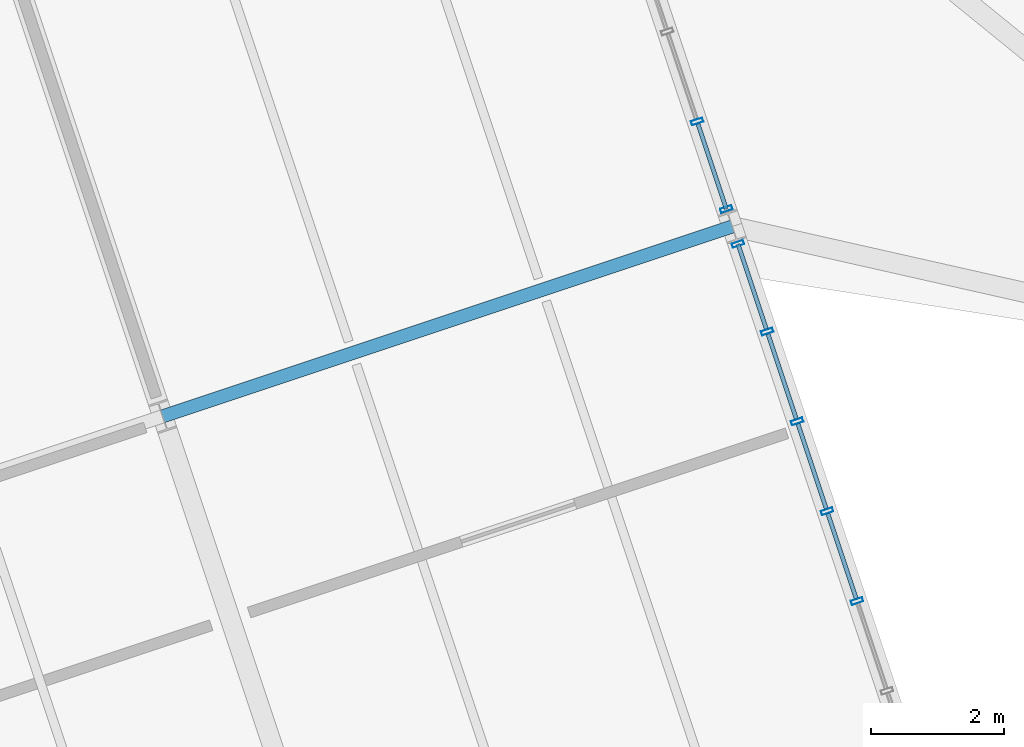
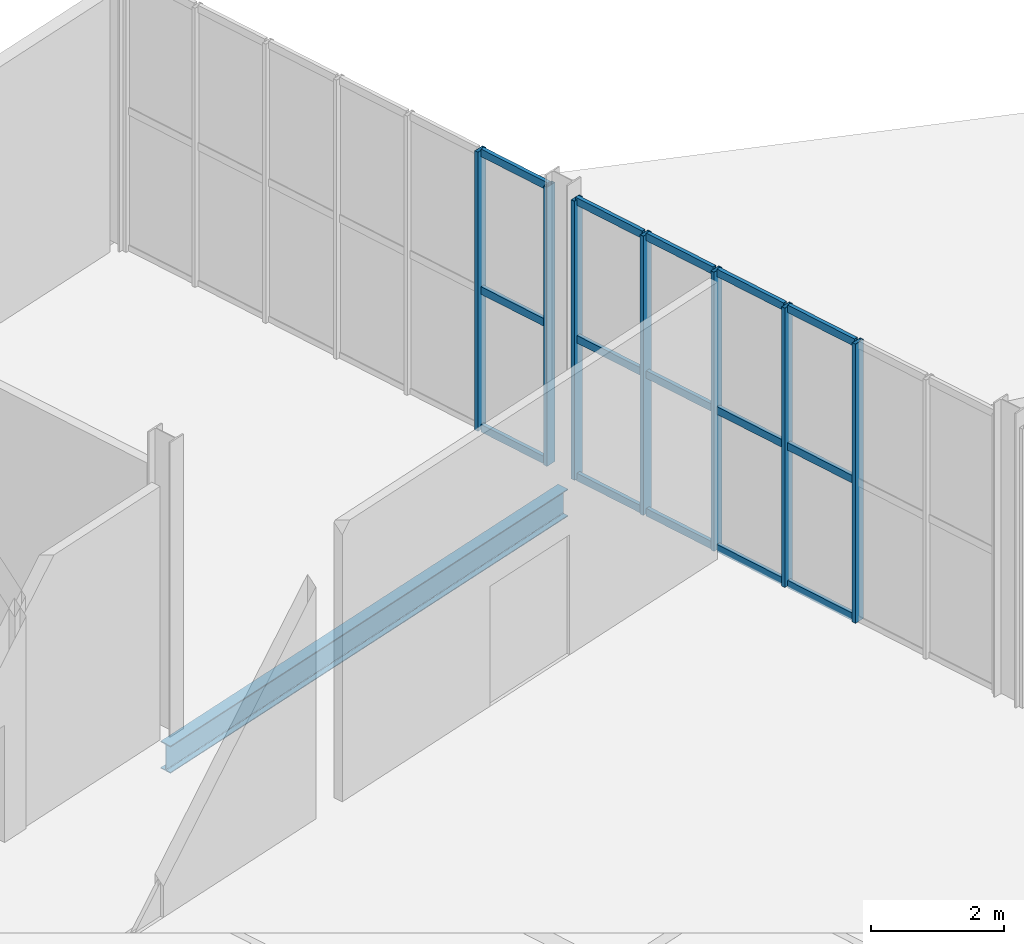
# One storey, part 83 of 158: 22 members, 1 beam, 2 elements without a shape of their own.
"""IFC4 building model written with IfcOpenShell, lengths in metres."""

from ifc_helpers import new_model, si_unit, derived_unit, direction, frame, origin, origin_2d, place, context, subcontext, project, spatial, hollow_rectangle, i_section, extrude, material, material_profile, profile_set, type_object, element, aggregate, save


model = new_model("IFC4")

# Units and contexts
model_context = context("Model", 3, precision=1e-05, world=origin(), true_north=direction((0.0, 1.0)))
body_context = subcontext(model_context, "Body", "Model", "MODEL_VIEW")
ifc_project = project(units=[si_unit("LENGTHUNIT", "METRE"), si_unit("AREAUNIT", "SQUARE_METRE"), si_unit("VOLUMEUNIT", "CUBIC_METRE"), si_unit("PLANEANGLEUNIT", "RADIAN"), si_unit("MASSUNIT", "GRAM", prefix="KILO"), si_unit("THERMODYNAMICTEMPERATUREUNIT", "KELVIN"), si_unit("TIMEUNIT", "SECOND"), derived_unit("THERMALTRANSMITTANCEUNIT", [(si_unit("MASSUNIT", "GRAM", prefix="KILO"), 1), (si_unit("THERMODYNAMICTEMPERATUREUNIT", "KELVIN"), -1), (si_unit("TIMEUNIT", "SECOND"), -3)])], contexts=[model_context])

# Site, building, storey
site_placement = place(None, origin())
site = spatial("IfcSite", under=ifc_project, at=site_placement, CompositionType="ELEMENT")
building_placement = place(site_placement, origin())
building = spatial("IfcBuilding", under=site, at=building_placement, Name="Cambertide Market Hall", CompositionType="ELEMENT")
storey_placement = place(building_placement, origin())
storey = spatial("IfcBuildingStorey", under=building, at=storey_placement, Name="L01", CompositionType="ELEMENT", Elevation=0.0)

# Curtain wall, members
ifc_material_1 = material(Name="Marine Anodized Aluminium 6063-T6 AA25", Category="aluminium")
curtain_wall_type = type_object("IfcCurtainWallType", Name="Food Court Ground Glazed Facade", PredefinedType="USERDEFINED", material=ifc_material_1)
curtain_wall_1_placement = place(storey_placement, origin())
curtain_wall_1 = element("IfcCurtainWall", 1, at=curtain_wall_1_placement, inside=storey, type_object=curtain_wall_type, Name="Level 1 Curtain Wall CW-V3E-L01-2", ObjectType="UNITIZED CURTAIN WALL", PredefinedType="USERDEFINED")
ifc_material_2 = material(Name="Champagne Marine Anodized Aluminium 6063-T6 AA25", Category="aluminium")
ifc_material_profile_1 = material_profile(ifc_material_2, hollow_rectangle(XDim=0.06494140625, YDim=0.179931640625, WallThickness=0.00390625, at=origin_2d()), Name="ALU MULLION 65x180")
ifc_profile_set_1 = profile_set([ifc_material_profile_1], Name="Champagne Marine Anodized Aluminium 6063-T6 AA25")
member_type_1 = type_object("IfcMemberType", Name="Curtain Wall Mullion ALU MULLION 65x180", PredefinedType="MULLION", material=ifc_profile_set_1)
member_1_placement = place(storey_placement, frame((160.161865234375, 48.73779296875, 0.0), z_axis=(0.0, 0.0, 1.0), x_axis=(0.316227695598, -0.948683321523, 0.0)))
member_1 = element("IfcMember", 2, at=member_1_placement, type_object=member_type_1, Name="CW-V3E-L01-2 Mullion 1", PredefinedType="MULLION", context=body_context, shape_type="SweptSolid", body=[
    extrude(hollow_rectangle(XDim=0.06494140625, YDim=0.179931640625, WallThickness=0.00390625, at=origin_2d()), origin(), (0.0, 0.0, 1.0), 5.1201171875),
])
member_2_placement = place(storey_placement, frame((160.599853515625, 47.423828125, 0.0), z_axis=(0.0, 0.0, 1.0), x_axis=(0.316227695598, -0.948683321523, 0.0)))
member_2 = element("IfcMember", 3, at=member_2_placement, type_object=member_type_1, Name="CW-V3E-L01-2 Mullion 2", PredefinedType="MULLION", context=body_context, shape_type="SweptSolid", body=[
    extrude(hollow_rectangle(XDim=0.06494140625, YDim=0.179931640625, WallThickness=0.00390625, at=origin_2d()), origin(), (0.0, 0.0, 1.0), 5.1201171875),
])
member_3_placement = place(storey_placement, frame((161.048828125, 46.07666015625, 0.0), z_axis=(0.0, 0.0, 1.0), x_axis=(0.316227695598, -0.948683321523, 0.0)))
member_3 = element("IfcMember", 4, at=member_3_placement, type_object=member_type_1, Name="CW-V3E-L01-2 Mullion 3", PredefinedType="MULLION", context=body_context, shape_type="SweptSolid", body=[
    extrude(hollow_rectangle(XDim=0.06494140625, YDim=0.179931640625, WallThickness=0.00390625, at=origin_2d()), origin(), (0.0, 0.0, 1.0), 5.1201171875),
])
member_4_placement = place(storey_placement, frame((161.498046875, 44.7294921875, 0.0), z_axis=(0.0, 0.0, 1.0), x_axis=(0.316227695598, -0.948683321523, 0.0)))
member_4 = element("IfcMember", 5, at=member_4_placement, type_object=member_type_1, Name="CW-V3E-L01-2 Mullion 4", PredefinedType="MULLION", context=body_context, shape_type="SweptSolid", body=[
    extrude(hollow_rectangle(XDim=0.06494140625, YDim=0.179931640625, WallThickness=0.00390625, at=origin_2d()), origin(), (0.0, 0.0, 1.0), 5.1201171875),
])
member_5_placement = place(storey_placement, frame((161.947021484375, 43.38232421875, 0.0), z_axis=(0.0, 0.0, 1.0), x_axis=(0.316227695598, -0.948683321523, 0.0)))
member_5 = element("IfcMember", 6, at=member_5_placement, type_object=member_type_1, Name="CW-V3E-L01-2 Mullion 5", PredefinedType="MULLION", context=body_context, shape_type="SweptSolid", body=[
    extrude(hollow_rectangle(XDim=0.06494140625, YDim=0.179931640625, WallThickness=0.00390625, at=origin_2d()), origin(), (0.0, 0.0, 1.0), 5.1201171875),
])

curtain_wall_2_placement = place(storey_placement, origin())
curtain_wall_2 = element("IfcCurtainWall", 7, at=curtain_wall_2_placement, inside=storey, type_object=curtain_wall_type, Name="Level 1 Curtain Wall CW-V3E-L01-3", ObjectType="UNITIZED CURTAIN WALL", PredefinedType="USERDEFINED")
member_6_placement = place(storey_placement, frame((159.550048828125, 50.573486328125, 0.0), z_axis=(0.0, 0.0, 1.0), x_axis=(0.3162277308, -0.948683309789, 0.0)))
member_6 = element("IfcMember", 8, at=member_6_placement, type_object=member_type_1, Name="CW-V3E-L01-3 Mullion 6", PredefinedType="MULLION", context=body_context, shape_type="SweptSolid", body=[
    extrude(hollow_rectangle(XDim=0.06494140625, YDim=0.179931640625, WallThickness=0.00390625, at=origin_2d()), origin(), (0.0, 0.0, 1.0), 5.1201171875),
])
member_7_placement = place(storey_placement, frame((159.988037109375, 49.259521484375, 0.0), z_axis=(0.0, 0.0, 1.0), x_axis=(0.3162277308, -0.948683309789, 0.0)))
member_7 = element("IfcMember", 9, at=member_7_placement, type_object=member_type_1, Name="CW-V3E-L01-3 Mullion 7", PredefinedType="MULLION", context=body_context, shape_type="SweptSolid", body=[
    extrude(hollow_rectangle(XDim=0.06494140625, YDim=0.179931640625, WallThickness=0.00390625, at=origin_2d()), origin(), (0.0, 0.0, 1.0), 5.1201171875),
])

# Member
ifc_material_3 = material(Name="Champagne Marine Anodized Aluminium 6063-T6 AA25", Category="aluminium")
ifc_material_profile_2 = material_profile(ifc_material_3, hollow_rectangle(XDim=0.06494140625, YDim=0.139892578125, WallThickness=0.00341796875, at=origin_2d()), Name="ALU TRANSOM 65x140")
ifc_profile_set_2 = profile_set([ifc_material_profile_2], Name="Champagne Marine Anodized Aluminium 6063-T6 AA25")
member_type_2 = type_object("IfcMemberType", Name="Curtain Wall Transom ALU TRANSOM 65x140", PredefinedType="USERDEFINED", material=ifc_profile_set_2)
member_8_placement = place(storey_placement, frame((160.16357421875, 48.73291015625, 0.034912109375), z_axis=(0.316118443418, -0.948719731918, 0.0), x_axis=(0.948719731918, 0.316118443418, 0.0)))
member_8 = element("IfcMember", 10, at=member_8_placement, type_object=member_type_2, Name="CW-V3E-L01-2 Transom 1-1", ObjectType="TRANSOM", PredefinedType="USERDEFINED", context=body_context, shape_type="SweptSolid", body=[
    extrude(hollow_rectangle(XDim=0.06494140625, YDim=0.139892578125, WallThickness=0.00341796875, at=origin_2d()), origin(), (0.0, 0.0, 1.0), 1.33984375),
])

member_9_placement = place(storey_placement, frame((160.612548828125, 47.385986328125, 0.034912109375), z_axis=(0.316282422593, -0.948665077442, 0.0), x_axis=(0.948665077442, 0.316282422593, 0.0)))
member_9 = element("IfcMember", 11, at=member_9_placement, type_object=member_type_2, Name="CW-V3E-L01-2 Transom 1-2", ObjectType="TRANSOM", PredefinedType="USERDEFINED", context=body_context, shape_type="SweptSolid", body=[
    extrude(hollow_rectangle(XDim=0.06494140625, YDim=0.139892578125, WallThickness=0.00341796875, at=origin_2d()), origin(), (0.0, 0.0, 1.0), 1.340087890625),
])

member_10_placement = place(storey_placement, frame((161.0615234375, 46.038818359375, 0.034912109375), z_axis=(0.316282422593, -0.948665077442, 0.0), x_axis=(0.948665077442, 0.316282422593, 0.0)))
member_10 = element("IfcMember", 12, at=member_10_placement, type_object=member_type_2, Name="CW-V3E-L01-2 Transom 1-3", ObjectType="TRANSOM", PredefinedType="USERDEFINED", context=body_context, shape_type="SweptSolid", body=[
    extrude(hollow_rectangle(XDim=0.06494140625, YDim=0.139892578125, WallThickness=0.00341796875, at=origin_2d()), origin(), (0.0, 0.0, 1.0), 1.340087890625),
])

member_11_placement = place(storey_placement, frame((161.5107421875, 44.691650390625, 0.034912109375), z_axis=(0.316118443418, -0.948719731918, 0.0), x_axis=(0.948719731918, 0.316118443418, 0.0)))
member_11 = element("IfcMember", 13, at=member_11_placement, type_object=member_type_2, Name="CW-V3E-L01-2 Transom 1-4", ObjectType="TRANSOM", PredefinedType="USERDEFINED", context=body_context, shape_type="SweptSolid", body=[
    extrude(hollow_rectangle(XDim=0.06494140625, YDim=0.139892578125, WallThickness=0.00341796875, at=origin_2d()), origin(), (0.0, 0.0, 1.0), 1.33984375),
])

member_12_placement = place(storey_placement, frame((160.16357421875, 48.73291015625, 2.56005859375), z_axis=(0.316118443418, -0.948719731918, 0.0), x_axis=(0.948719731918, 0.316118443418, 0.0)))
member_12 = element("IfcMember", 14, at=member_12_placement, type_object=member_type_2, Name="CW-V3E-L01-2 Transom 2-1", ObjectType="TRANSOM", PredefinedType="USERDEFINED", context=body_context, shape_type="SweptSolid", body=[
    extrude(hollow_rectangle(XDim=0.06494140625, YDim=0.139892578125, WallThickness=0.00341796875, at=origin_2d()), origin(), (0.0, 0.0, 1.0), 1.33984375),
])

member_13_placement = place(storey_placement, frame((160.612548828125, 47.385986328125, 2.56005859375), z_axis=(0.316282422593, -0.948665077442, 0.0), x_axis=(0.948665077442, 0.316282422593, 0.0)))
member_13 = element("IfcMember", 15, at=member_13_placement, type_object=member_type_2, Name="CW-V3E-L01-2 Transom 2-2", ObjectType="TRANSOM", PredefinedType="USERDEFINED", context=body_context, shape_type="SweptSolid", body=[
    extrude(hollow_rectangle(XDim=0.06494140625, YDim=0.139892578125, WallThickness=0.00341796875, at=origin_2d()), origin(), (0.0, 0.0, 1.0), 1.340087890625),
])

member_14_placement = place(storey_placement, frame((161.0615234375, 46.038818359375, 2.56005859375), z_axis=(0.316282422593, -0.948665077442, 0.0), x_axis=(0.948665077442, 0.316282422593, 0.0)))
member_14 = element("IfcMember", 16, at=member_14_placement, type_object=member_type_2, Name="CW-V3E-L01-2 Transom 2-3", ObjectType="TRANSOM", PredefinedType="USERDEFINED", context=body_context, shape_type="SweptSolid", body=[
    extrude(hollow_rectangle(XDim=0.06494140625, YDim=0.139892578125, WallThickness=0.00341796875, at=origin_2d()), origin(), (0.0, 0.0, 1.0), 1.340087890625),
])

member_15_placement = place(storey_placement, frame((161.5107421875, 44.691650390625, 2.56005859375), z_axis=(0.316118443418, -0.948719731918, 0.0), x_axis=(0.948719731918, 0.316118443418, 0.0)))
member_15 = element("IfcMember", 17, at=member_15_placement, type_object=member_type_2, Name="CW-V3E-L01-2 Transom 2-4", ObjectType="TRANSOM", PredefinedType="USERDEFINED", context=body_context, shape_type="SweptSolid", body=[
    extrude(hollow_rectangle(XDim=0.06494140625, YDim=0.139892578125, WallThickness=0.00341796875, at=origin_2d()), origin(), (0.0, 0.0, 1.0), 1.33984375),
])

member_16_placement = place(storey_placement, frame((160.16357421875, 48.73291015625, 5.0849609375), z_axis=(0.316118443418, -0.948719731918, 0.0), x_axis=(0.948719731918, 0.316118443418, 0.0)))
member_16 = element("IfcMember", 18, at=member_16_placement, type_object=member_type_2, Name="CW-V3E-L01-2 Transom 3-1", ObjectType="TRANSOM", PredefinedType="USERDEFINED", context=body_context, shape_type="SweptSolid", body=[
    extrude(hollow_rectangle(XDim=0.06494140625, YDim=0.139892578125, WallThickness=0.00341796875, at=origin_2d()), origin(), (0.0, 0.0, 1.0), 1.33984375),
])

member_17_placement = place(storey_placement, frame((160.612548828125, 47.385986328125, 5.0849609375), z_axis=(0.316282422593, -0.948665077442, 0.0), x_axis=(0.948665077442, 0.316282422593, 0.0)))
member_17 = element("IfcMember", 19, at=member_17_placement, type_object=member_type_2, Name="CW-V3E-L01-2 Transom 3-2", ObjectType="TRANSOM", PredefinedType="USERDEFINED", context=body_context, shape_type="SweptSolid", body=[
    extrude(hollow_rectangle(XDim=0.06494140625, YDim=0.139892578125, WallThickness=0.00341796875, at=origin_2d()), origin(), (0.0, 0.0, 1.0), 1.340087890625),
])

member_18_placement = place(storey_placement, frame((161.0615234375, 46.038818359375, 5.0849609375), z_axis=(0.316282422593, -0.948665077442, 0.0), x_axis=(0.948665077442, 0.316282422593, 0.0)))
member_18 = element("IfcMember", 20, at=member_18_placement, type_object=member_type_2, Name="CW-V3E-L01-2 Transom 3-3", ObjectType="TRANSOM", PredefinedType="USERDEFINED", context=body_context, shape_type="SweptSolid", body=[
    extrude(hollow_rectangle(XDim=0.06494140625, YDim=0.139892578125, WallThickness=0.00341796875, at=origin_2d()), origin(), (0.0, 0.0, 1.0), 1.340087890625),
])

member_19_placement = place(storey_placement, frame((161.5107421875, 44.691650390625, 5.0849609375), z_axis=(0.316118443418, -0.948719731918, 0.0), x_axis=(0.948719731918, 0.316118443418, 0.0)))
member_19 = element("IfcMember", 21, at=member_19_placement, type_object=member_type_2, Name="CW-V3E-L01-2 Transom 3-4", ObjectType="TRANSOM", PredefinedType="USERDEFINED", context=body_context, shape_type="SweptSolid", body=[
    extrude(hollow_rectangle(XDim=0.06494140625, YDim=0.139892578125, WallThickness=0.00341796875, at=origin_2d()), origin(), (0.0, 0.0, 1.0), 1.33984375),
])

aggregate(curtain_wall_1, [member_1, member_2, member_3, member_4, member_5, member_8, member_9, member_10, member_11, member_12, member_13, member_14, member_15, member_16, member_17, member_18, member_19])

member_20_placement = place(storey_placement, frame((159.562744140625, 50.535400390625, 0.034912109375), z_axis=(0.316118443418, -0.948719731918, 0.0), x_axis=(0.948719731918, 0.316118443418, 0.0)))
member_20 = element("IfcMember", 22, at=member_20_placement, type_object=member_type_2, Name="CW-V3E-L01-3 Transom 1-6", ObjectType="TRANSOM", PredefinedType="USERDEFINED", context=body_context, shape_type="SweptSolid", body=[
    extrude(hollow_rectangle(XDim=0.06494140625, YDim=0.139892578125, WallThickness=0.00341796875, at=origin_2d()), origin(), (0.0, 0.0, 1.0), 1.33984375),
])

member_21_placement = place(storey_placement, frame((159.562744140625, 50.535400390625, 2.56005859375), z_axis=(0.316118443418, -0.948719731918, 0.0), x_axis=(0.948719731918, 0.316118443418, 0.0)))
member_21 = element("IfcMember", 23, at=member_21_placement, type_object=member_type_2, Name="CW-V3E-L01-3 Transom 2-6", ObjectType="TRANSOM", PredefinedType="USERDEFINED", context=body_context, shape_type="SweptSolid", body=[
    extrude(hollow_rectangle(XDim=0.06494140625, YDim=0.139892578125, WallThickness=0.00341796875, at=origin_2d()), origin(), (0.0, 0.0, 1.0), 1.33984375),
])

member_22_placement = place(storey_placement, frame((159.562744140625, 50.535400390625, 5.0849609375), z_axis=(0.316118443418, -0.948719731918, 0.0), x_axis=(0.948719731918, 0.316118443418, 0.0)))
member_22 = element("IfcMember", 24, at=member_22_placement, type_object=member_type_2, Name="CW-V3E-L01-3 Transom 3-6", ObjectType="TRANSOM", PredefinedType="USERDEFINED", context=body_context, shape_type="SweptSolid", body=[
    extrude(hollow_rectangle(XDim=0.06494140625, YDim=0.139892578125, WallThickness=0.00341796875, at=origin_2d()), origin(), (0.0, 0.0, 1.0), 1.33984375),
])

aggregate(curtain_wall_2, [member_6, member_7, member_20, member_21, member_22])

# Beam
ifc_material_4 = material(Name="Steel S355", Category="steel")
ifc_material_profile_3 = material_profile(ifc_material_4, i_section(OverallWidth=0.199951171875, OverallDepth=0.5, WebThickness=0.01025390625, FlangeThickness=0.01611328125, FilletRadius=0.02099609375, at=origin_2d()), Name="IPE 500")
ifc_profile_set_3 = profile_set([ifc_material_profile_3], Name="Steel S355")
beam_type = type_object("IfcBeamType", Name="Steel Girder IPE 500", PredefinedType="BEAM", material=ifc_profile_set_3)
beam_placement = place(storey_placement, frame((151.536865234375, 46.152587890625, -0.550048828125), z_axis=(0.948686010717, 0.3162196279, 0.0), x_axis=(-0.3162196279, 0.948686010717, 0.0)))
element("IfcBeam", 25, at=beam_placement, inside=storey, type_object=beam_type, Name="Level 1 Beam BM-V3U-L01-7-3", PredefinedType="BEAM", context=body_context, shape_type="SweptSolid", body=[
    extrude(i_section(OverallWidth=0.199951171875, OverallDepth=0.5, WebThickness=0.01025390625, FlangeThickness=0.01611328125, FilletRadius=0.02099609375, at=origin_2d()), origin(), (0.0, 0.0, 1.0), 9.0),
])

save(model, "model.ifc")
